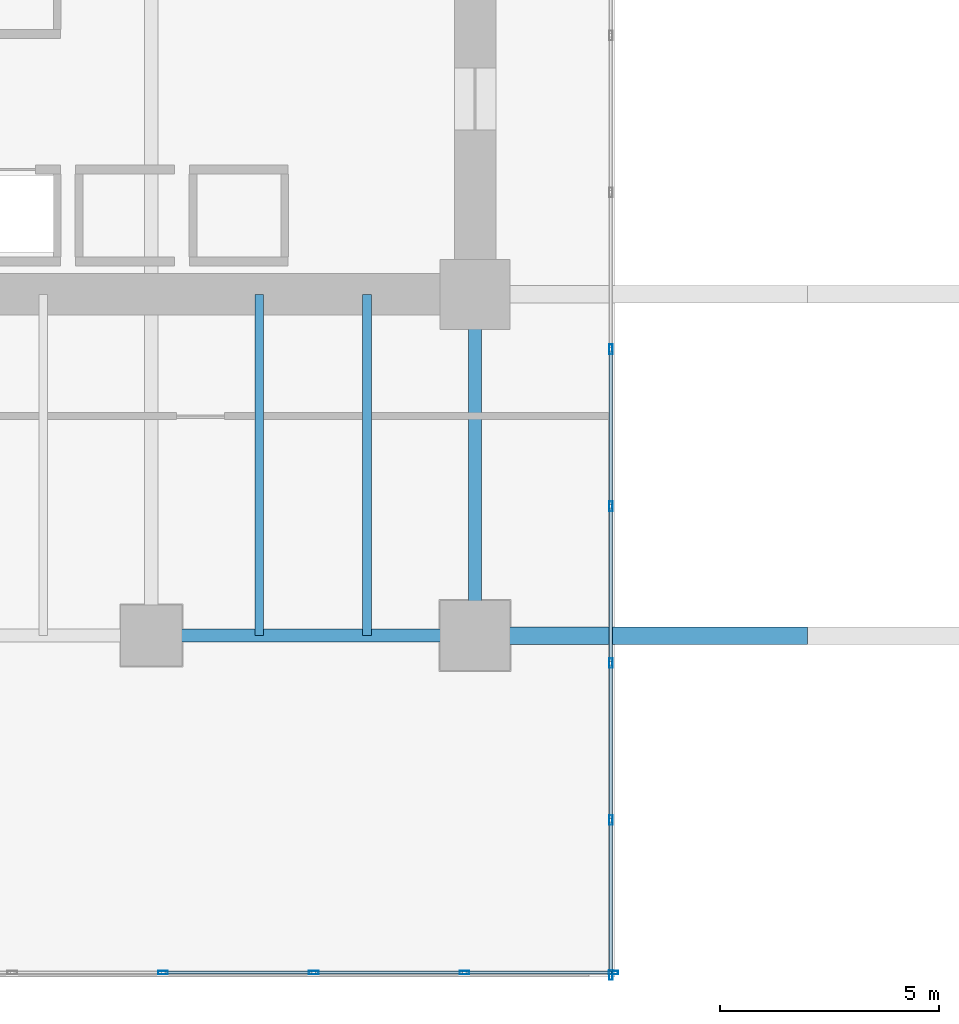
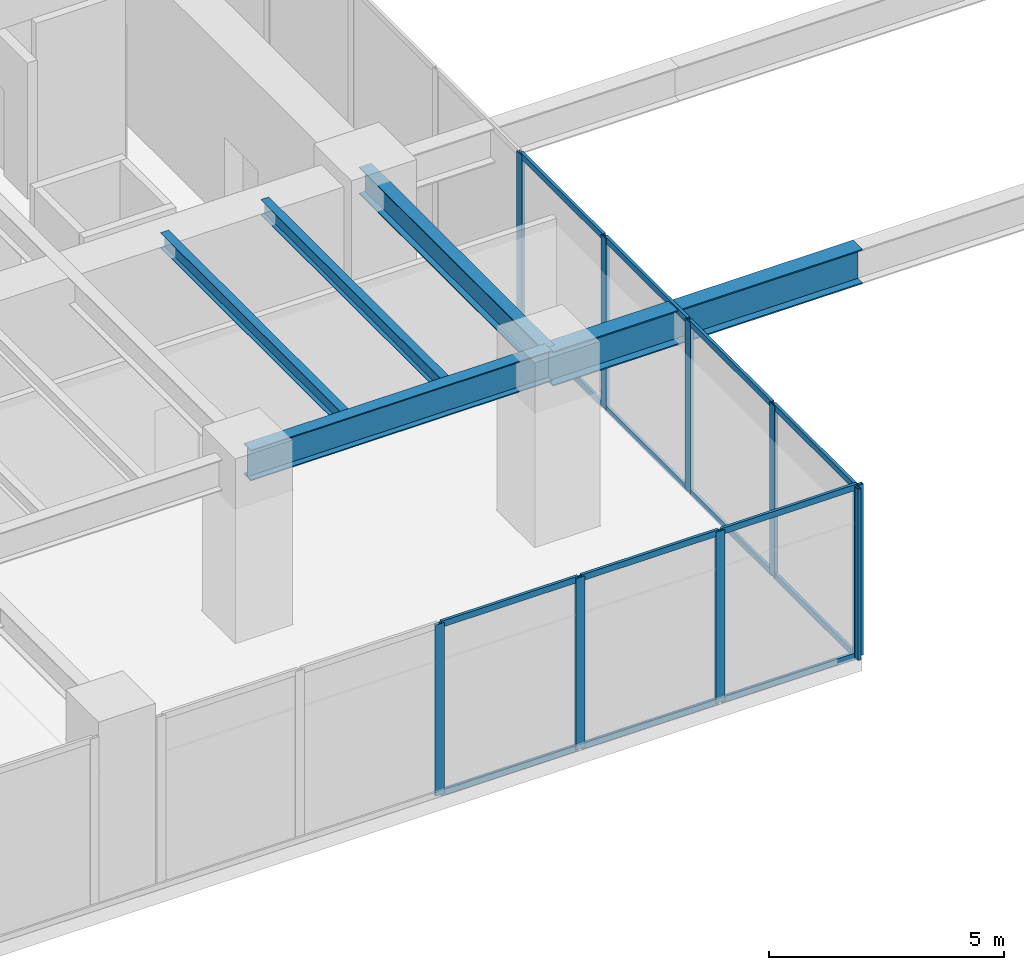
# One storey, part 4 of 39: 23 members, 5 beams, 2 elements without a shape of their own.
"""IFC4 building model written with IfcOpenShell, lengths in metres."""

from ifc_helpers import new_model, si_unit, direction, frame, origin, origin_2d, place, context, subcontext, project, spatial, hollow_rectangle, i_section, extrude, source, transform, mapped, material, layer, layer_set, material_profile, profile_set, type_object, type_shapes, element, aggregate, save


model = new_model("IFC4")

# Units and contexts
model_context = context("Model", 3, precision=1e-05, world=origin(), true_north=direction((0.0, 1.0)))
body_context = subcontext(model_context, "Body", "Model", "MODEL_VIEW")
ifc_project = project(units=[si_unit("LENGTHUNIT", "METRE"), si_unit("AREAUNIT", "SQUARE_METRE"), si_unit("VOLUMEUNIT", "CUBIC_METRE"), si_unit("PLANEANGLEUNIT", "RADIAN"), si_unit("MASSUNIT", "GRAM", prefix="KILO")], contexts=[model_context])

# Site, building, storey
site_placement = place(None, origin())
site = spatial("IfcSite", under=ifc_project, at=site_placement, CompositionType="ELEMENT")
building_placement = place(site_placement, origin())
building = spatial("IfcBuilding", under=site, at=building_placement, Name="Haelvirn Gate Laboratories", CompositionType="ELEMENT")
storey_placement = place(building_placement, frame((0.0, 0.0, 15.0)))
storey = spatial("IfcBuildingStorey", under=building, at=storey_placement, Name="L04", CompositionType="ELEMENT", Elevation=15.0)

# Beams
ifc_material_1 = material(Name="Steel SM420", Category="steel")
ifc_material_profile_1 = material_profile(ifc_material_1, i_section(OverallWidth=0.300048828125, OverallDepth=0.800048828125, WebThickness=0.013916015625, FlangeThickness=0.02587890625, at=origin_2d()), Name="H-800x300x14x26")
ifc_profile_set_1 = profile_set([ifc_material_profile_1], Name="Steel SM420")
beam_type_1 = type_object("IfcBeamType", Name="BM-G-800", PredefinedType="BEAM", material=ifc_profile_set_1)
shared_shape_1 = source(origin(), body_context, "Body", "SweptSolid", [
    extrude(i_section(OverallWidth=0.300048828125, OverallDepth=0.800048828125, WebThickness=0.013916015625, FlangeThickness=0.02587890625, at=origin_2d()), origin(), (0.0, 0.0, 1.0), 7.39990234375),
])
type_shapes(beam_type_1, [shared_shape_1])
beam_1_placement = place(storey_placement, frame((14.800048828125, 7.0, 4.050048828125), z_axis=(1.0, 0.0, 0.0), x_axis=(0.0, 1.0, 0.0)))
element("IfcBeam", 1, at=beam_1_placement, inside=storey, type_object=beam_type_1, Name="L04 Primary Girder Y7.0 (14.8-22.2)", PredefinedType="BEAM", context=body_context, shape_type="MappedRepresentation", body=[
    mapped(shared_shape_1, transform((0.0, 0.0, 0.0), scale=1.0)),
])
ifc_material_2 = material(Name="Steel SM355", Category="steel")
ifc_material_profile_2 = material_profile(ifc_material_2, i_section(OverallWidth=0.199951171875, OverallDepth=0.39990234375, WebThickness=0.008056640625, FlangeThickness=0.012939453125, at=origin_2d()), Name="H-400x200x8x13")
ifc_profile_set_2 = profile_set([ifc_material_profile_2], Name="Steel SM355")
beam_type_2 = type_object("IfcBeamType", Name="BM-J-400", PredefinedType="JOIST", material=ifc_profile_set_2)
shared_shape_2 = source(origin(), body_context, "Body", "SweptSolid", [
    extrude(i_section(OverallWidth=0.199951171875, OverallDepth=0.39990234375, WebThickness=0.008056640625, FlangeThickness=0.012939453125, at=origin_2d()), origin(), (0.0, 0.0, 1.0), 7.800048828125),
])
type_shapes(beam_type_2, [shared_shape_2])
for number, where, z_axis, x_axis, name in (
    (2, (17.27001953125, 7.0, 4.25), (0.0, 1.0, 0.0), (-1.0, 0.0, 0.0), "L04 Composite Lab Joist South X17.27"),
    (3, (19.72998046875, 7.0, 4.25), (0.0, 1.0, 0.0), (-1.0, 0.0, 0.0), "L04 Composite Lab Joist South X19.73"),
):
    element("IfcBeam", number, at=place(storey_placement, frame(where, z_axis=z_axis, x_axis=x_axis)), inside=storey, type_object=beam_type_2, Name=name, PredefinedType="JOIST", context=body_context, shape_type="MappedRepresentation", body=[
        mapped(shared_shape_2, transform((0.0, 0.0, 0.0), scale=1.0)),
    ])
ifc_material_profile_3 = material_profile(ifc_material_2, i_section(OverallWidth=0.300048828125, OverallDepth=0.699951171875, WebThickness=0.012939453125, FlangeThickness=0.02392578125, at=origin_2d()), Name="H-700x300x13x24")
ifc_profile_set_3 = profile_set([ifc_material_profile_3], Name="Steel SM355")
beam_type_3 = type_object("IfcBeamType", Name="BM-G-700", PredefinedType="BEAM", material=ifc_profile_set_3)
shared_shape_3 = source(origin(), body_context, "Body", "SweptSolid", [
    extrude(i_section(OverallWidth=0.300048828125, OverallDepth=0.699951171875, WebThickness=0.012939453125, FlangeThickness=0.02392578125, at=origin_2d()), origin(), (0.0, 0.0, 1.0), 7.800048828125),
])
type_shapes(beam_type_3, [shared_shape_3])
beam_2_placement = place(storey_placement, frame((22.199951171875, 7.0, 4.10009765625), z_axis=(0.0, 1.0, 0.0), x_axis=(-1.0, 0.0, 0.0)))
element("IfcBeam", 4, at=beam_2_placement, inside=storey, type_object=beam_type_3, Name="L04 Frame Girder X22.2 (7.0-14.8)", PredefinedType="BEAM", context=body_context, shape_type="MappedRepresentation", body=[
    mapped(shared_shape_3, transform((0.0, 0.0, 0.0), scale=1.0)),
])
ifc_material_profile_4 = material_profile(ifc_material_1, i_section(OverallWidth=0.39990234375, OverallDepth=0.89990234375, WebThickness=0.01904296875, FlangeThickness=0.031982421875, at=origin_2d()), Name="H-900x400x19x32")
ifc_profile_set_4 = profile_set([ifc_material_profile_4], Name="Steel SM420")
beam_type_4 = type_object("IfcBeamType", Name="BM-TG-900", PredefinedType="BEAM", material=ifc_profile_set_4)
shared_shape_4 = source(origin(), body_context, "Body", "SweptSolid", [
    extrude(i_section(OverallWidth=0.39990234375, OverallDepth=0.89990234375, WebThickness=0.01904296875, FlangeThickness=0.031982421875, at=origin_2d()), origin(), (0.0, 0.0, 1.0), 7.60009765625),
])
type_shapes(beam_type_4, [shared_shape_4])
beam_3_placement = place(storey_placement, frame((22.199951171875, 7.0, 4.0), z_axis=(1.0, 0.0, 0.0), x_axis=(0.0, 1.0, 0.0)))
element("IfcBeam", 5, at=beam_3_placement, inside=storey, type_object=beam_type_4, Name="L05 Portal Transfer Truss Bottom Chord Y7.0-1", PredefinedType="BEAM", context=body_context, shape_type="MappedRepresentation", body=[
    mapped(shared_shape_4, transform((0.0, 0.0, 0.0), scale=1.0)),
])

# Curtain wall, members
ifc_material_3 = material(Name="Anodised bronze unitised aluminium & triple low-E glass", Category="aluminium")
ifc_layer = layer(ifc_material_3, 0.18798828125, Name="CW-SYS-1")
ifc_layer_set = layer_set([ifc_layer], Name="Anodised bronze unitised aluminium & triple low-E glass")
curtain_wall_type = type_object("IfcCurtainWallType", Name="CW-SYS-1", PredefinedType="NOTDEFINED", material=ifc_layer_set)
curtain_wall_1_placement = place(storey_placement, origin())
curtain_wall_1 = element("IfcCurtainWall", 6, at=curtain_wall_1_placement, inside=storey, type_object=curtain_wall_type, Name="L04 Unitised Curtain Wall CW-L04-P0-E00-1-S2", PredefinedType="NOTDEFINED")
ifc_material_4 = material(Name="Extruded aluminium 6063-T6 (anodised bronze)", Category="aluminium")
ifc_material_profile_5 = material_profile(ifc_material_4, hollow_rectangle(XDim=0.070068359375, YDim=0.159912109375, WallThickness=0.0048828125, at=origin_2d()), Name="CWT-160x70x5")
ifc_profile_set_5 = profile_set([ifc_material_profile_5], Name="Extruded aluminium 6063-T6 (anodised bronze)")
member_type_1 = type_object("IfcMemberType", Name="CWT-T160", PredefinedType="USERDEFINED", material=ifc_profile_set_5)
shared_shape_5 = source(origin(), body_context, "Body", "SweptSolid", [
    extrude(hollow_rectangle(XDim=0.070068359375, YDim=0.159912109375, WallThickness=0.0048828125, at=origin_2d()), origin(), (0.0, 0.0, 1.0), 3.323974609375),
])
member_1_placement = place(storey_placement, frame((21.99609375, -0.699951171875, 0.034912109375), z_axis=(1.0, 0.0, 0.0), x_axis=(0.0, 1.0, 0.0)))
member_1 = element("IfcMember", 7, at=member_1_placement, type_object=member_type_1, Name="CW1 transom 5.1", ObjectType="TRANSOM", PredefinedType="USERDEFINED", context=body_context, shape_type="MappedRepresentation", body=[
    mapped(shared_shape_5, transform((0.0, 0.0, 0.0), scale=1.0)),
])
member_2_placement = place(storey_placement, frame((21.99609375, -0.699951171875, 4.4150390625), z_axis=(1.0, 0.0, 0.0), x_axis=(0.0, 1.0, 0.0)))
member_2 = element("IfcMember", 8, at=member_2_placement, type_object=member_type_1, Name="CW1 transom 5.2", ObjectType="TRANSOM", PredefinedType="USERDEFINED", context=body_context, shape_type="MappedRepresentation", body=[
    mapped(shared_shape_5, transform((0.0, 0.0, 0.0), scale=1.0)),
])
shared_shape_6 = source(origin(), body_context, "Body", "SweptSolid", [
    extrude(hollow_rectangle(XDim=0.070068359375, YDim=0.159912109375, WallThickness=0.0048828125, at=origin_2d()), origin(), (0.0, 0.0, 1.0), 3.364013671875),
])
member_3_placement = place(storey_placement, frame((15.10791015625, -0.699951171875, 0.034912109375), z_axis=(1.0, 0.0, 0.0), x_axis=(0.0, 1.0, 0.0)))
member_3 = element("IfcMember", 9, at=member_3_placement, type_object=member_type_1, Name="CW1 transom 3.1", ObjectType="TRANSOM", PredefinedType="USERDEFINED", context=body_context, shape_type="MappedRepresentation", body=[
    mapped(shared_shape_6, transform((0.0, 0.0, 0.0), scale=1.0)),
])
member_4_placement = place(storey_placement, frame((15.10791015625, -0.699951171875, 4.4150390625), z_axis=(1.0, 0.0, 0.0), x_axis=(0.0, 1.0, 0.0)))
member_4 = element("IfcMember", 10, at=member_4_placement, type_object=member_type_1, Name="CW1 transom 3.2", ObjectType="TRANSOM", PredefinedType="USERDEFINED", context=body_context, shape_type="MappedRepresentation", body=[
    mapped(shared_shape_6, transform((0.0, 0.0, 0.0), scale=1.0)),
])
member_5_placement = place(storey_placement, frame((18.552001953125, -0.699951171875, 0.034912109375), z_axis=(1.0, 0.0, 0.0), x_axis=(0.0, 1.0, 0.0)))
member_5 = element("IfcMember", 11, at=member_5_placement, type_object=member_type_1, Name="CW1 transom 4.1", ObjectType="TRANSOM", PredefinedType="USERDEFINED", context=body_context, shape_type="MappedRepresentation", body=[
    mapped(shared_shape_6, transform((0.0, 0.0, 0.0), scale=1.0)),
])
member_6_placement = place(storey_placement, frame((18.552001953125, -0.699951171875, 4.4150390625), z_axis=(1.0, 0.0, 0.0), x_axis=(0.0, 1.0, 0.0)))
member_6 = element("IfcMember", 12, at=member_6_placement, type_object=member_type_1, Name="CW1 transom 4.2", ObjectType="TRANSOM", PredefinedType="USERDEFINED", context=body_context, shape_type="MappedRepresentation", body=[
    mapped(shared_shape_6, transform((0.0, 0.0, 0.0), scale=1.0)),
])

curtain_wall_2_placement = place(storey_placement, origin())
curtain_wall_2 = element("IfcCurtainWall", 13, at=curtain_wall_2_placement, inside=storey, type_object=curtain_wall_type, Name="L04 Unitised Curtain Wall CW-L04-P0-E01", PredefinedType="NOTDEFINED")
shared_shape_7 = source(origin(), body_context, "Body", "SweptSolid", [
    extrude(hollow_rectangle(XDim=0.070068359375, YDim=0.159912109375, WallThickness=0.0048828125, at=origin_2d()), origin(), (0.0, 0.0, 1.0), 3.465576171875),
])
member_7_placement = place(storey_placement, frame((25.300048828125, -0.719970703125, 0.034912109375), z_axis=(0.0, 1.0, 0.0), x_axis=(-1.0, 0.0, 0.0)))
member_7 = element("IfcMember", 14, at=member_7_placement, type_object=member_type_1, Name="CW1 transom 1.1", ObjectType="TRANSOM", PredefinedType="USERDEFINED", context=body_context, shape_type="MappedRepresentation", body=[
    mapped(shared_shape_7, transform((0.0, 0.0, 0.0), scale=1.0)),
])
member_8_placement = place(storey_placement, frame((25.300048828125, -0.719970703125, 4.4150390625), z_axis=(0.0, 1.0, 0.0), x_axis=(-1.0, 0.0, 0.0)))
member_8 = element("IfcMember", 15, at=member_8_placement, type_object=member_type_1, Name="CW1 transom 1.2", ObjectType="TRANSOM", PredefinedType="USERDEFINED", context=body_context, shape_type="MappedRepresentation", body=[
    mapped(shared_shape_7, transform((0.0, 0.0, 0.0), scale=1.0)),
])
shared_shape_8 = source(origin(), body_context, "Body", "SweptSolid", [
    extrude(hollow_rectangle(XDim=0.070068359375, YDim=0.159912109375, WallThickness=0.0048828125, at=origin_2d()), origin(), (0.0, 0.0, 1.0), 3.505859375),
])
type_shapes(member_type_1, [shared_shape_5, shared_shape_6, shared_shape_7, shared_shape_8])
member_9_placement = place(storey_placement, frame((25.300048828125, 2.82568359375, 0.034912109375), z_axis=(0.0, 1.0, 0.0), x_axis=(-1.0, 0.0, 0.0)))
member_9 = element("IfcMember", 16, at=member_9_placement, type_object=member_type_1, Name="CW1 transom 2.1", ObjectType="TRANSOM", PredefinedType="USERDEFINED", context=body_context, shape_type="MappedRepresentation", body=[
    mapped(shared_shape_8, transform((0.0, 0.0, 0.0), scale=1.0)),
])
member_10_placement = place(storey_placement, frame((25.300048828125, 2.82568359375, 4.4150390625), z_axis=(0.0, 1.0, 0.0), x_axis=(-1.0, 0.0, 0.0)))
member_10 = element("IfcMember", 17, at=member_10_placement, type_object=member_type_1, Name="CW1 transom 2.2", ObjectType="TRANSOM", PredefinedType="USERDEFINED", context=body_context, shape_type="MappedRepresentation", body=[
    mapped(shared_shape_8, transform((0.0, 0.0, 0.0), scale=1.0)),
])
member_11_placement = place(storey_placement, frame((25.300048828125, 6.411376953125, 0.034912109375), z_axis=(0.0, 1.0, 0.0), x_axis=(-1.0, 0.0, 0.0)))
member_11 = element("IfcMember", 18, at=member_11_placement, type_object=member_type_1, Name="CW1 transom 3.1", ObjectType="TRANSOM", PredefinedType="USERDEFINED", context=body_context, shape_type="MappedRepresentation", body=[
    mapped(shared_shape_8, transform((0.0, 0.0, 0.0), scale=1.0)),
])
member_12_placement = place(storey_placement, frame((25.300048828125, 6.411376953125, 4.4150390625), z_axis=(0.0, 1.0, 0.0), x_axis=(-1.0, 0.0, 0.0)))
member_12 = element("IfcMember", 19, at=member_12_placement, type_object=member_type_1, Name="CW1 transom 3.2", ObjectType="TRANSOM", PredefinedType="USERDEFINED", context=body_context, shape_type="MappedRepresentation", body=[
    mapped(shared_shape_8, transform((0.0, 0.0, 0.0), scale=1.0)),
])
member_13_placement = place(storey_placement, frame((25.300048828125, 9.9970703125, 0.034912109375), z_axis=(0.0, 1.0, 0.0), x_axis=(-1.0, 0.0, 0.0)))
member_13 = element("IfcMember", 20, at=member_13_placement, type_object=member_type_1, Name="CW1 transom 4.1", ObjectType="TRANSOM", PredefinedType="USERDEFINED", context=body_context, shape_type="MappedRepresentation", body=[
    mapped(shared_shape_8, transform((0.0, 0.0, 0.0), scale=1.0)),
])
member_14_placement = place(storey_placement, frame((25.300048828125, 9.9970703125, 4.4150390625), z_axis=(0.0, 1.0, 0.0), x_axis=(-1.0, 0.0, 0.0)))
member_14 = element("IfcMember", 21, at=member_14_placement, type_object=member_type_1, Name="CW1 transom 4.2", ObjectType="TRANSOM", PredefinedType="USERDEFINED", context=body_context, shape_type="MappedRepresentation", body=[
    mapped(shared_shape_8, transform((0.0, 0.0, 0.0), scale=1.0)),
])

# Member
ifc_material_profile_6 = material_profile(ifc_material_4, hollow_rectangle(XDim=0.080078125, YDim=0.219970703125, WallThickness=0.006103515625, at=origin_2d()), Name="CWM-220x80x6")
ifc_profile_set_6 = profile_set([ifc_material_profile_6], Name="Extruded aluminium 6063-T6 (anodised bronze)")
member_type_2 = type_object("IfcMemberType", Name="CWM-T220", PredefinedType="MULLION", material=ifc_profile_set_6)
shared_shape_9 = source(origin(), body_context, "Body", "SweptSolid", [
    extrude(hollow_rectangle(XDim=0.080078125, YDim=0.219970703125, WallThickness=0.006103515625, at=origin_2d()), origin(), (0.0, 0.0, 1.0), 4.449951171875),
])
type_shapes(member_type_2, [shared_shape_9])
member_15_placement = place(storey_placement, frame((15.068115234375, -0.699951171875, 0.0), z_axis=(0.0, 0.0, 1.0), x_axis=(0.0, 1.0, 0.0)))
member_15 = element("IfcMember", 22, at=member_15_placement, type_object=member_type_2, Name="CW1 mullion 3", PredefinedType="MULLION", context=body_context, shape_type="MappedRepresentation", body=[
    mapped(shared_shape_9, transform((0.0, 0.0, 0.0), scale=1.0)),
])

member_16_placement = place(storey_placement, frame((18.511962890625, -0.699951171875, 0.0), z_axis=(0.0, 0.0, 1.0), x_axis=(0.0, 1.0, 0.0)))
member_16 = element("IfcMember", 23, at=member_16_placement, type_object=member_type_2, Name="CW1 mullion 4", PredefinedType="MULLION", context=body_context, shape_type="MappedRepresentation", body=[
    mapped(shared_shape_9, transform((0.0, 0.0, 0.0), scale=1.0)),
])

member_17_placement = place(storey_placement, frame((21.9560546875, -0.699951171875, 0.0), z_axis=(0.0, 0.0, 1.0), x_axis=(0.0, 1.0, 0.0)))
member_17 = element("IfcMember", 24, at=member_17_placement, type_object=member_type_2, Name="CW1 mullion 5", PredefinedType="MULLION", context=body_context, shape_type="MappedRepresentation", body=[
    mapped(shared_shape_9, transform((0.0, 0.0, 0.0), scale=1.0)),
])

member_18_placement = place(storey_placement, frame((25.360107421875, -0.699951171875, 0.0), z_axis=(0.0, 0.0, 1.0), x_axis=(0.0, 1.0, 0.0)))
member_18 = element("IfcMember", 25, at=member_18_placement, type_object=member_type_2, Name="CW1 mullion 6", PredefinedType="MULLION", context=body_context, shape_type="MappedRepresentation", body=[
    mapped(shared_shape_9, transform((0.0, 0.0, 0.0), scale=1.0)),
])

aggregate(curtain_wall_1, [member_15, member_16, member_17, member_18, member_3, member_4, member_5, member_6, member_1, member_2])

member_19_placement = place(storey_placement, frame((25.300048828125, -0.760009765625, 0.0), z_axis=(0.0, 0.0, 1.0), x_axis=(-1.0, 0.0, 0.0)))
member_19 = element("IfcMember", 26, at=member_19_placement, type_object=member_type_2, Name="CW1 mullion 1", PredefinedType="MULLION", context=body_context, shape_type="MappedRepresentation", body=[
    mapped(shared_shape_9, transform((0.0, 0.0, 0.0), scale=1.0)),
])

member_20_placement = place(storey_placement, frame((25.300048828125, 2.78564453125, 0.0), z_axis=(0.0, 0.0, 1.0), x_axis=(-1.0, 0.0, 0.0)))
member_20 = element("IfcMember", 27, at=member_20_placement, type_object=member_type_2, Name="CW1 mullion 2", PredefinedType="MULLION", context=body_context, shape_type="MappedRepresentation", body=[
    mapped(shared_shape_9, transform((0.0, 0.0, 0.0), scale=1.0)),
])

member_21_placement = place(storey_placement, frame((25.300048828125, 6.371337890625, 0.0), z_axis=(0.0, 0.0, 1.0), x_axis=(-1.0, 0.0, 0.0)))
member_21 = element("IfcMember", 28, at=member_21_placement, type_object=member_type_2, Name="CW1 mullion 3", PredefinedType="MULLION", context=body_context, shape_type="MappedRepresentation", body=[
    mapped(shared_shape_9, transform((0.0, 0.0, 0.0), scale=1.0)),
])

member_22_placement = place(storey_placement, frame((25.300048828125, 9.95703125, 0.0), z_axis=(0.0, 0.0, 1.0), x_axis=(-1.0, 0.0, 0.0)))
member_22 = element("IfcMember", 29, at=member_22_placement, type_object=member_type_2, Name="CW1 mullion 4", PredefinedType="MULLION", context=body_context, shape_type="MappedRepresentation", body=[
    mapped(shared_shape_9, transform((0.0, 0.0, 0.0), scale=1.0)),
])

member_23_placement = place(storey_placement, frame((25.300048828125, 13.54296875, 0.0), z_axis=(0.0, 0.0, 1.0), x_axis=(-1.0, 0.0, 0.0)))
member_23 = element("IfcMember", 30, at=member_23_placement, type_object=member_type_2, Name="CW1 mullion 5", PredefinedType="MULLION", context=body_context, shape_type="MappedRepresentation", body=[
    mapped(shared_shape_9, transform((0.0, 0.0, 0.0), scale=1.0)),
])

aggregate(curtain_wall_2, [member_19, member_20, member_21, member_22, member_23, member_7, member_8, member_9, member_10, member_11, member_12, member_13, member_14])

save(model, "model.ifc")
